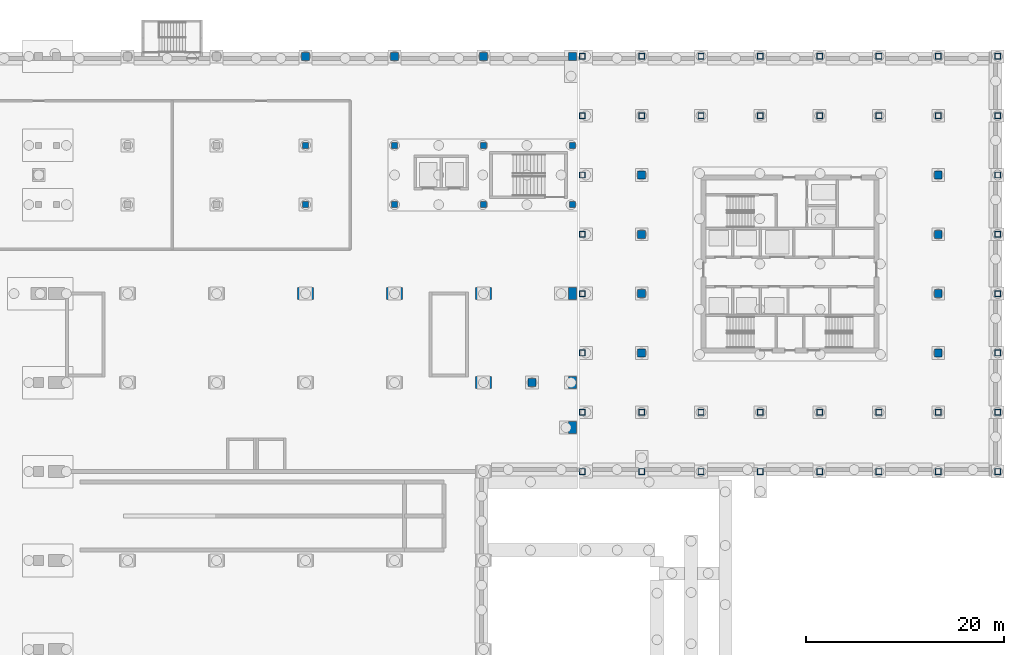
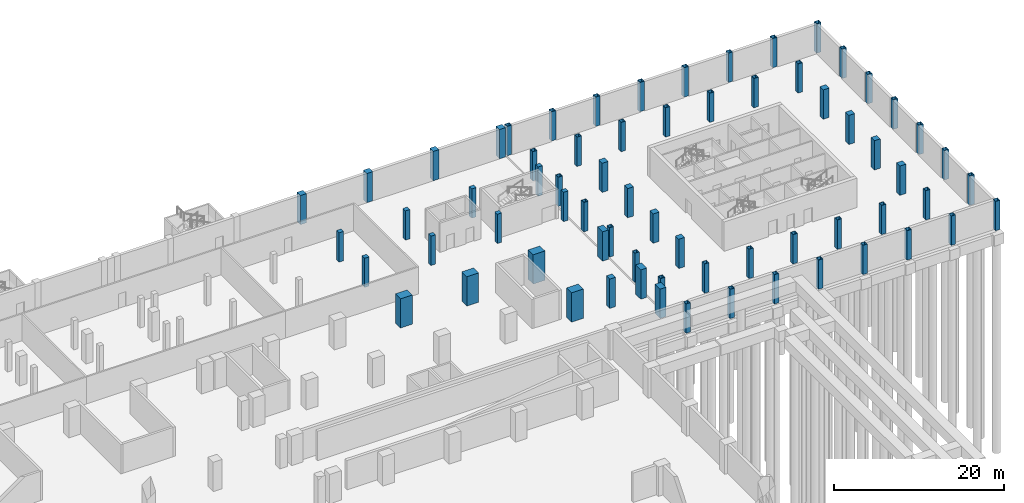
# One storey, part 7 of 29: 68 columns.
"""IFC4 building model written with IfcOpenShell, lengths in metres."""

from ifc_helpers import new_model, si_unit, direction, frame, origin, origin_2d, place, context, subcontext, project, spatial, rectangle, hollow_rectangle, extrude, material, material_profile, profile_set, type_object, element, save


model = new_model("IFC4")

# Units and contexts
model_context = context("Model", 3, precision=1e-05, world=origin(), true_north=direction((0.0, 1.0)))
body_context = subcontext(model_context, "Body", "Model", "MODEL_VIEW")
ifc_project = project(units=[si_unit("LENGTHUNIT", "METRE"), si_unit("AREAUNIT", "SQUARE_METRE"), si_unit("VOLUMEUNIT", "CUBIC_METRE"), si_unit("PLANEANGLEUNIT", "RADIAN"), si_unit("MASSUNIT", "GRAM", prefix="KILO")], contexts=[model_context])

# Site, building, storey
site_placement = place(None, origin())
site = spatial("IfcSite", under=ifc_project, at=site_placement, CompositionType="ELEMENT")
building_placement = place(site_placement, origin())
building = spatial("IfcBuilding", under=site, at=building_placement, Name="Aravalli Gate Trade Fair Centre", CompositionType="ELEMENT")
storey_placement = place(building_placement, frame((0.0, 0.0, -8.39990234375)))
storey = spatial("IfcBuildingStorey", under=building, at=storey_placement, Name="B2", CompositionType="ELEMENT", Elevation=-8.39990234375)

# Columns
ifc_material_1 = material(Name="Concrete M50", Category="concrete")
ifc_material_profile_1 = material_profile(ifc_material_1, rectangle(XDim=0.800048828125, YDim=0.800048828125, at=origin_2d()), Name="RC 800 x 800")
ifc_profile_set_1 = profile_set([ifc_material_profile_1], Name="Concrete M50")
column_type_1 = type_object("IfcColumnType", Name="Basement column 800", PredefinedType="COLUMN", material=ifc_profile_set_1)
for number, where, z_axis, x_axis, name in (
    (1, (166.0, 103.0, 0.0), (0.0, 0.0, 1.0), (1.0, 0.0, 0.0), "Basement column 19T2 B2"),
    (2, (166.0, 109.0, 0.0), (0.0, 0.0, 1.0), (1.0, 0.0, 0.0), "Basement column 19H B2"),
    (3, (166.0, 115.0, 0.0), (0.0, 0.0, 1.0), (1.0, 0.0, 0.0), "Basement column 19T3 B2"),
    (4, (166.0, 121.0, 0.0), (0.0, 0.0, 1.0), (1.0, 0.0, 0.0), "Basement column 19J B2"),
    (5, (196.0, 103.0, 0.0), (0.0, 0.0, 1.0), (1.0, 0.0, 0.0), "Basement column 24T2 B2"),
    (6, (196.0, 109.0, 0.0), (0.0, 0.0, 1.0), (1.0, 0.0, 0.0), "Basement column 24H B2"),
    (7, (196.0, 115.0, 0.0), (0.0, 0.0, 1.0), (1.0, 0.0, 0.0), "Basement column 24T3 B2"),
    (8, (196.0, 121.0, 0.0), (0.0, 0.0, 1.0), (1.0, 0.0, 0.0), "Basement column 24J B2"),
):
    element("IfcColumn", number, at=place(storey_placement, frame(where, z_axis=z_axis, x_axis=x_axis)), inside=storey, type_object=column_type_1, Name=name, PredefinedType="COLUMN", context=body_context, shape_type="SweptSolid", body=[
        extrude(rectangle(XDim=0.800048828125, YDim=0.800048828125, at=origin_2d()), origin(), (0.0, 0.0, 1.0), 4.199951171875),
    ])
ifc_material_2 = material(Name="Concrete M45", Category="concrete")
ifc_material_profile_2 = material_profile(ifc_material_2, rectangle(XDim=1.60009765625, YDim=1.199951171875, at=origin_2d()), Name="RC 1600x1200")
ifc_profile_set_2 = profile_set([ifc_material_profile_2], Name="Concrete M45")
column_type_2 = type_object("IfcColumnType", Name="Congress RC column 1600 x 1200", PredefinedType="COLUMN", material=ifc_profile_set_2)
for number, where, z_axis, x_axis, name in (
    (9, (150.0, 100.0, 0.0), (0.0, 0.0, 1.0), (1.0, 0.0, 0.0), "Congress column 150.0/100 B2"),
    (10, (132.0, 109.0, 0.0), (0.0, 0.0, 1.0), (1.0, 0.0, 0.0), "Congress column 132.0/109 B2"),
    (11, (141.0, 109.0, 0.0), (0.0, 0.0, 1.0), (1.0, 0.0, 0.0), "Congress column 141.0/109 B2"),
    (12, (150.0, 109.0, 0.0), (0.0, 0.0, 1.0), (1.0, 0.0, 0.0), "Congress column 150.0/109 B2"),
):
    element("IfcColumn", number, at=place(storey_placement, frame(where, z_axis=z_axis, x_axis=x_axis)), inside=storey, type_object=column_type_2, Name=name, PredefinedType="COLUMN", context=body_context, shape_type="SweptSolid", body=[
        extrude(rectangle(XDim=1.60009765625, YDim=1.199951171875, at=origin_2d()), origin(), (0.0, 0.0, 1.0), 4.199951171875),
    ])
ifc_material_profile_3 = material_profile(ifc_material_1, rectangle(XDim=0.800048828125, YDim=1.199951171875, at=origin_2d()), Name="Link column 800 x 1200")
ifc_profile_set_3 = profile_set([ifc_material_profile_3], Name="Concrete M50")
column_type_3 = type_object("IfcColumnType", Name="Link column 800 x 1200", PredefinedType="COLUMN", material=ifc_profile_set_3)
for number, where, z_axis, x_axis, name in (
    (13, (159.0, 95.449951171875, 0.0), (0.0, 0.0, 1.0), (1.0, 0.0, 0.0), "Link column EF B2"),
    (14, (159.0, 100.0, 0.0), (0.0, 0.0, 1.0), (1.0, 0.0, 0.0), "Link column EG B2"),
    (15, (159.0, 109.0, 0.0), (0.0, 0.0, 1.0), (1.0, 0.0, 0.0), "Link column EH B2"),
):
    element("IfcColumn", number, at=place(storey_placement, frame(where, z_axis=z_axis, x_axis=x_axis)), inside=storey, type_object=column_type_3, Name=name, PredefinedType="COLUMN", context=body_context, shape_type="SweptSolid", body=[
        extrude(rectangle(XDim=0.800048828125, YDim=1.199951171875, at=origin_2d()), origin(), (0.0, 0.0, 1.0), 4.199951171875),
    ])
ifc_material_profile_4 = material_profile(ifc_material_1, rectangle(XDim=0.800048828125, YDim=0.800048828125, at=origin_2d()), Name="Link column 800 x 800")
ifc_profile_set_4 = profile_set([ifc_material_profile_4], Name="Concrete M50")
column_type_4 = type_object("IfcColumnType", Name="Link column 800 x 800", PredefinedType="COLUMN", material=ifc_profile_set_4)
column_placement = place(storey_placement, frame((154.89990234375, 100.0, 0.0), z_axis=(0.0, 0.0, 1.0), x_axis=(1.0, 0.0, 0.0)))
element("IfcColumn", 16, at=column_placement, inside=storey, type_object=column_type_4, Name="Link column MG B2", PredefinedType="COLUMN", context=body_context, shape_type="SweptSolid", body=[
    extrude(rectangle(XDim=0.800048828125, YDim=0.800048828125, at=origin_2d()), origin(), (0.0, 0.0, 1.0), 4.199951171875),
])
ifc_material_profile_5 = material_profile(ifc_material_2, rectangle(XDim=0.60009765625, YDim=0.60009765625, at=origin_2d()), Name="RC column 600 x 600")
ifc_profile_set_5 = profile_set([ifc_material_profile_5], Name="Concrete M45")
column_type_5 = type_object("IfcColumnType", Name="RC column 600 x 600", PredefinedType="COLUMN", material=ifc_profile_set_5)
for number, where, z_axis, x_axis, name in (
    (17, (132.0, 118.0, 0.0), (0.0, 0.0, 1.0), (1.0, 0.0, 0.0), "Concourse column S15 B2"),
    (18, (132.0, 124.0, 0.0), (0.0, 0.0, 1.0), (1.0, 0.0, 0.0), "Concourse column N15 B2"),
    (19, (141.0, 118.0, 0.0), (0.0, 0.0, 1.0), (1.0, 0.0, 0.0), "Concourse column S16 B2"),
    (20, (141.0, 124.0, 0.0), (0.0, 0.0, 1.0), (1.0, 0.0, 0.0), "Concourse column N16 B2"),
    (21, (150.0, 118.0, 0.0), (0.0, 0.0, 1.0), (1.0, 0.0, 0.0), "Concourse column S17 B2"),
    (22, (150.0, 124.0, 0.0), (0.0, 0.0, 1.0), (1.0, 0.0, 0.0), "Concourse column N17 B2"),
    (23, (159.0, 118.0, 0.0), (0.0, 0.0, 1.0), (1.0, 0.0, 0.0), "Concourse column SE B2"),
    (24, (159.0, 124.0, 0.0), (0.0, 0.0, 1.0), (1.0, 0.0, 0.0), "Concourse column NE B2"),
):
    element("IfcColumn", number, at=place(storey_placement, frame(where, z_axis=z_axis, x_axis=x_axis)), inside=storey, type_object=column_type_5, Name=name, PredefinedType="COLUMN", context=body_context, shape_type="SweptSolid", body=[
        extrude(rectangle(XDim=0.60009765625, YDim=0.60009765625, at=origin_2d()), origin(), (0.0, 0.0, 1.0), 4.199951171875),
    ])
ifc_material_profile_6 = material_profile(ifc_material_2, rectangle(XDim=0.800048828125, YDim=0.800048828125, at=origin_2d()), Name="RC column 800 x 800")
ifc_profile_set_6 = profile_set([ifc_material_profile_6], Name="Concrete M45")
column_type_6 = type_object("IfcColumnType", Name="RC column 800 x 800", PredefinedType="COLUMN", material=ifc_profile_set_6)
for number, where, z_axis, x_axis, name in (
    (25, (132.0, 133.0, 0.0), (0.0, 0.0, 1.0), (1.0, 0.0, 0.0), "Concourse column K15 B2"),
    (26, (141.0, 133.0, 0.0), (0.0, 0.0, 1.0), (1.0, 0.0, 0.0), "Concourse column K16 B2"),
    (27, (150.0, 133.0, 0.0), (0.0, 0.0, 1.0), (1.0, 0.0, 0.0), "Concourse column K17 B2"),
    (28, (159.0, 133.0, 0.0), (0.0, 0.0, 1.0), (1.0, 0.0, 0.0), "Concourse column KE B2"),
):
    element("IfcColumn", number, at=place(storey_placement, frame(where, z_axis=z_axis, x_axis=x_axis)), inside=storey, type_object=column_type_6, Name=name, PredefinedType="COLUMN", context=body_context, shape_type="SweptSolid", body=[
        extrude(rectangle(XDim=0.800048828125, YDim=0.800048828125, at=origin_2d()), origin(), (0.0, 0.0, 1.0), 4.199951171875),
    ])
ifc_material_3 = material(Name="Steel E350", Category="steel")
ifc_material_profile_7 = material_profile(ifc_material_3, hollow_rectangle(XDim=0.60009765625, YDim=0.60009765625, WallThickness=0.0400390625, at=origin_2d()), Name="BOX 600x600x40")
ifc_profile_set_7 = profile_set([ifc_material_profile_7], Name="Steel E350")
column_type_7 = type_object("IfcColumnType", Name="Wing box column 600 x 600 x 40", PredefinedType="COLUMN", material=ifc_profile_set_7)
for number, where, z_axis, x_axis, name in (
    (29, (160.0, 91.0, 0.0), (0.0, 0.0, 1.0), (1.0, 0.0, 0.0), "Wing column 18/F B2"),
    (30, (160.0, 97.0, 0.0), (0.0, 0.0, 1.0), (1.0, 0.0, 0.0), "Wing column 18/T1 B2"),
    (31, (160.0, 103.0, 0.0), (0.0, 0.0, 1.0), (1.0, 0.0, 0.0), "Wing column 18/T2 B2"),
    (32, (160.0, 109.0, 0.0), (0.0, 0.0, 1.0), (1.0, 0.0, 0.0), "Wing column 18/H B2"),
    (33, (160.0, 115.0, 0.0), (0.0, 0.0, 1.0), (1.0, 0.0, 0.0), "Wing column 18/T3 B2"),
    (34, (160.0, 121.0, 0.0), (0.0, 0.0, 1.0), (1.0, 0.0, 0.0), "Wing column 18/J B2"),
    (35, (160.0, 127.0, 0.0), (0.0, 0.0, 1.0), (1.0, 0.0, 0.0), "Wing column 18/T4 B2"),
    (36, (160.0, 133.0, 0.0), (0.0, 0.0, 1.0), (1.0, 0.0, 0.0), "Wing column 18/K B2"),
    (37, (166.0, 91.0, 0.0), (0.0, 0.0, 1.0), (1.0, 0.0, 0.0), "Wing column 19/F B2"),
    (38, (166.0, 133.0, 0.0), (0.0, 0.0, 1.0), (1.0, 0.0, 0.0), "Wing column 19/K B2"),
    (39, (172.0, 91.0, 0.0), (0.0, 0.0, 1.0), (1.0, 0.0, 0.0), "Wing column 20/F B2"),
    (40, (172.0, 133.0, 0.0), (0.0, 0.0, 1.0), (1.0, 0.0, 0.0), "Wing column 20/K B2"),
    (41, (178.0, 91.0, 0.0), (0.0, 0.0, 1.0), (1.0, 0.0, 0.0), "Wing column 21/F B2"),
    (42, (178.0, 133.0, 0.0), (0.0, 0.0, 1.0), (1.0, 0.0, 0.0), "Wing column 21/K B2"),
    (43, (184.0, 91.0, 0.0), (0.0, 0.0, 1.0), (1.0, 0.0, 0.0), "Wing column 22/F B2"),
    (44, (184.0, 133.0, 0.0), (0.0, 0.0, 1.0), (1.0, 0.0, 0.0), "Wing column 22/K B2"),
    (45, (190.0, 91.0, 0.0), (0.0, 0.0, 1.0), (1.0, 0.0, 0.0), "Wing column 23/F B2"),
    (46, (190.0, 133.0, 0.0), (0.0, 0.0, 1.0), (1.0, 0.0, 0.0), "Wing column 23/K B2"),
    (47, (196.0, 91.0, 0.0), (0.0, 0.0, 1.0), (1.0, 0.0, 0.0), "Wing column 24/F B2"),
    (48, (196.0, 133.0, 0.0), (0.0, 0.0, 1.0), (1.0, 0.0, 0.0), "Wing column 24/K B2"),
    (49, (202.0, 91.0, 0.0), (0.0, 0.0, 1.0), (1.0, 0.0, 0.0), "Wing column 25/F B2"),
    (50, (202.0, 97.0, 0.0), (0.0, 0.0, 1.0), (1.0, 0.0, 0.0), "Wing column 25/T1 B2"),
    (51, (202.0, 103.0, 0.0), (0.0, 0.0, 1.0), (1.0, 0.0, 0.0), "Wing column 25/T2 B2"),
    (52, (202.0, 109.0, 0.0), (0.0, 0.0, 1.0), (1.0, 0.0, 0.0), "Wing column 25/H B2"),
    (53, (202.0, 115.0, 0.0), (0.0, 0.0, 1.0), (1.0, 0.0, 0.0), "Wing column 25/T3 B2"),
    (54, (202.0, 121.0, 0.0), (0.0, 0.0, 1.0), (1.0, 0.0, 0.0), "Wing column 25/J B2"),
    (55, (202.0, 127.0, 0.0), (0.0, 0.0, 1.0), (1.0, 0.0, 0.0), "Wing column 25/T4 B2"),
    (56, (202.0, 133.0, 0.0), (0.0, 0.0, 1.0), (1.0, 0.0, 0.0), "Wing column 25/K B2"),
    (57, (166.0, 97.0, 0.0), (0.0, 0.0, 1.0), (1.0, 0.0, 0.0), "Wing column 19/T1 B2"),
    (58, (172.0, 97.0, 0.0), (0.0, 0.0, 1.0), (1.0, 0.0, 0.0), "Wing column 20/T1 B2"),
    (59, (178.0, 97.0, 0.0), (0.0, 0.0, 1.0), (1.0, 0.0, 0.0), "Wing column 21/T1 B2"),
    (60, (184.0, 97.0, 0.0), (0.0, 0.0, 1.0), (1.0, 0.0, 0.0), "Wing column 22/T1 B2"),
    (61, (190.0, 97.0, 0.0), (0.0, 0.0, 1.0), (1.0, 0.0, 0.0), "Wing column 23/T1 B2"),
    (62, (196.0, 97.0, 0.0), (0.0, 0.0, 1.0), (1.0, 0.0, 0.0), "Wing column 24/T1 B2"),
    (63, (166.0, 127.0, 0.0), (0.0, 0.0, 1.0), (1.0, 0.0, 0.0), "Wing column 19/T4 B2"),
    (64, (172.0, 127.0, 0.0), (0.0, 0.0, 1.0), (1.0, 0.0, 0.0), "Wing column 20/T4 B2"),
    (65, (178.0, 127.0, 0.0), (0.0, 0.0, 1.0), (1.0, 0.0, 0.0), "Wing column 21/T4 B2"),
    (66, (184.0, 127.0, 0.0), (0.0, 0.0, 1.0), (1.0, 0.0, 0.0), "Wing column 22/T4 B2"),
    (67, (190.0, 127.0, 0.0), (0.0, 0.0, 1.0), (1.0, 0.0, 0.0), "Wing column 23/T4 B2"),
    (68, (196.0, 127.0, 0.0), (0.0, 0.0, 1.0), (1.0, 0.0, 0.0), "Wing column 24/T4 B2"),
):
    element("IfcColumn", number, at=place(storey_placement, frame(where, z_axis=z_axis, x_axis=x_axis)), inside=storey, type_object=column_type_7, Name=name, PredefinedType="COLUMN", context=body_context, shape_type="SweptSolid", body=[
        extrude(hollow_rectangle(XDim=0.60009765625, YDim=0.60009765625, WallThickness=0.0400390625, at=origin_2d()), origin(), (0.0, 0.0, 1.0), 4.199951171875),
    ])

save(model, "model.ifc")
